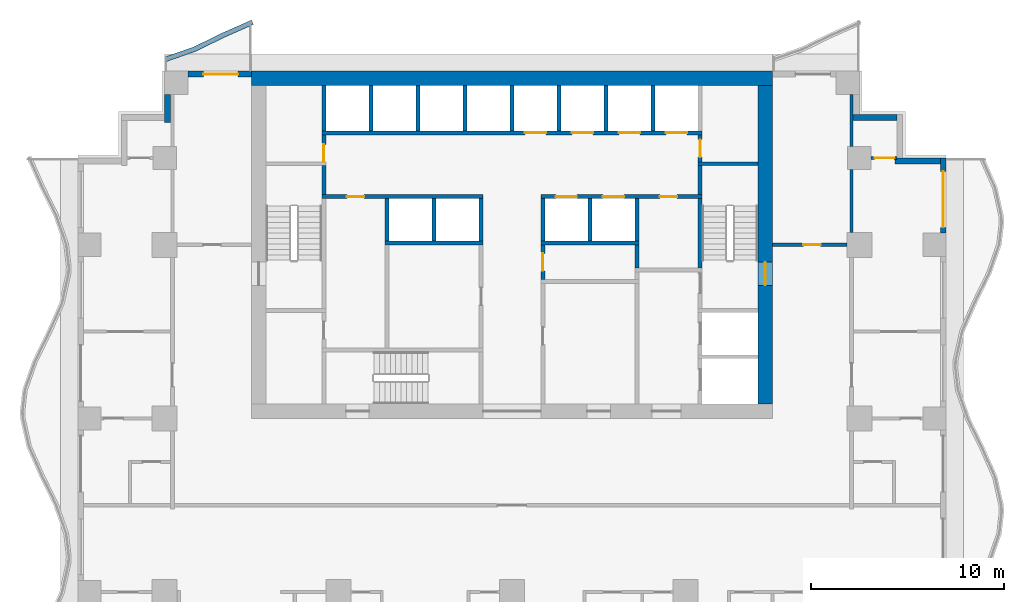
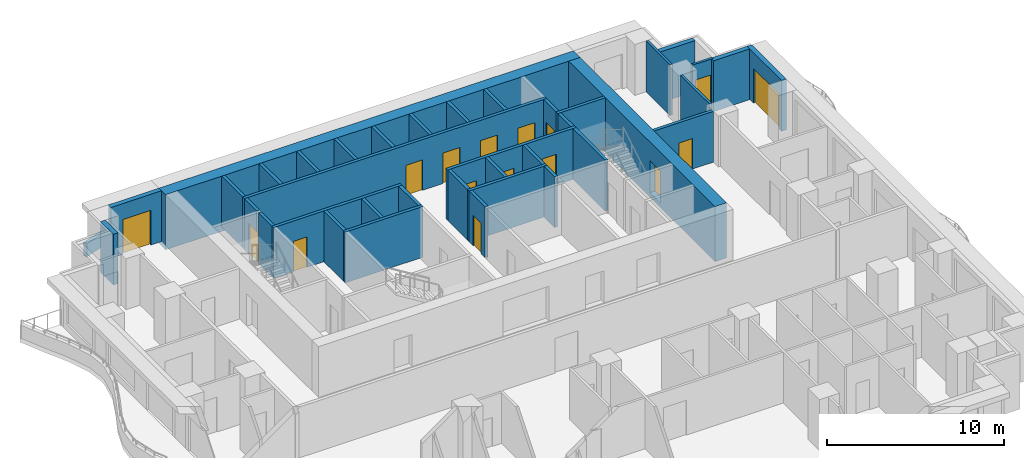
# One storey, part 5 of 10: 39 walls, 16 doors, 16 openings.
"""IFC4 building model written with IfcOpenShell, lengths in metres."""

from ifc_helpers import new_model, si_unit, direction, frame, frame_2d, origin, place, context, subcontext, project, spatial, polyline, rectangle, outline, extrude, material, layer, layer_set, type_object, element, fill, save


model = new_model("IFC4")

# Units and contexts
model_context = context("Model", 3, precision=1e-05, world=origin(), true_north=direction((0.0, 1.0)))
body_context = subcontext(model_context, "Body", "Model", "MODEL_VIEW")
ifc_project = project(units=[si_unit("LENGTHUNIT", "METRE"), si_unit("AREAUNIT", "SQUARE_METRE"), si_unit("VOLUMEUNIT", "CUBIC_METRE"), si_unit("PLANEANGLEUNIT", "RADIAN"), si_unit("MASSUNIT", "GRAM", prefix="KILO")], contexts=[model_context])

# Site, building, storey
site_placement = place(None, origin())
site = spatial("IfcSite", under=ifc_project, at=site_placement, CompositionType="ELEMENT")
building_placement = place(site_placement, origin())
building = spatial("IfcBuilding", under=site, at=building_placement, Name="Orbiselva Terraces", CompositionType="ELEMENT")
storey_placement = place(building_placement, frame((0.0, 0.0, 125.0)))
storey = spatial("IfcBuildingStorey", under=building, at=storey_placement, Name="L31", CompositionType="ELEMENT", Elevation=125.0)

# Wall, opening, door
ifc_material_1 = material(Name="Concrete C80/95", Category="concrete")
ifc_layer_1 = layer(ifc_material_1, 0.75)
ifc_layer_set_1 = layer_set([ifc_layer_1], Name="Concrete C80/95")
wall_type_1 = type_object("IfcWallType", Name="CORE WALL 750", PredefinedType="SHEAR", material=ifc_layer_set_1)
wall_1_placement = place(storey_placement, frame((13.125, 5.25, -0.3), z_axis=(0.0, 0.0, 1.0), x_axis=(0.0, 1.0, 0.0)))
wall_1 = element("IfcWall", 1, at=wall_1_placement, inside=storey, type_object=wall_type_1, Name="Core wall L31 east", PredefinedType="SHEAR", context=body_context, shape_type="SweptSolid", body=[
    extrude(rectangle(XDim=16.5, YDim=0.75, at=frame_2d((8.25, 0.0))), origin(), (0.0, 0.0, 1.0), 3.8),
])
opening_1_placement = place(wall_1_placement, frame((6.15, 0.0, 0.3)))
opening_1 = element("IfcOpeningElement", 2, at=opening_1_placement, cuts=wall_1, Name="Opening DS1200", PredefinedType="OPENING", context=body_context, shape_type="SweptSolid", body=[
    extrude(rectangle(XDim=1.2, YDim=2.2, at=frame_2d((0.6, 1.1))), frame((0.0, 0.385, 0.0), z_axis=(0.0, -1.0, 0.0), x_axis=(1.0, 0.0, 0.0)), (0.0, 0.0, 1.0), 0.77),
])
ifc_material_2 = material(Name="Steel fire door", Category="steel")
door_type_1 = type_object("IfcDoorType", Name="STAIR DOOR 1200", OperationType="NOTDEFINED", PredefinedType="DOOR", material=ifc_material_2)
door_1_placement = place(opening_1_placement, frame((1.2, 0.0, 0.0), z_axis=(0.0, 0.0, 1.0), x_axis=(-1.0, 0.0, 0.0)))
door_1 = element("IfcDoor", 3, at=door_1_placement, inside=storey, type_object=door_type_1, Name="L31 EXIT STAIR S2 door", OperationType="SINGLE_SWING_LEFT", OverallHeight=2.2, OverallWidth=1.2, PredefinedType="DOOR", context=body_context, shape_type="SweptSolid", body=[
    extrude(rectangle(XDim=1.2, YDim=2.2, at=frame_2d((0.6, 1.1))), frame((0.0, 0.025, 0.0), z_axis=(0.0, -1.0, 0.0), x_axis=(1.0, 0.0, 0.0)), (0.0, 0.0, 1.0), 0.05),
])
fill(opening_1, door_1)

# Wall
ifc_layer_2 = layer(ifc_material_1, 0.75)
ifc_layer_set_2 = layer_set([ifc_layer_2], Name="Concrete C80/95")
wall_type_2 = type_object("IfcWallType", Name="CORE WALL 750 EXTERNAL", PredefinedType="SHEAR", material=ifc_layer_set_2)
wall_2_placement = place(storey_placement, frame((13.5, 22.125, -0.3), z_axis=(0.0, 0.0, 1.0), x_axis=(-1.0, 0.0, 0.0)))
element("IfcWall", 4, at=wall_2_placement, inside=storey, type_object=wall_type_2, Name="Core wall L31 north", PredefinedType="SHEAR", context=body_context, shape_type="SweptSolid", body=[
    extrude(rectangle(XDim=27.0, YDim=0.75, at=frame_2d((13.5, 0.0))), origin(), (0.0, 0.0, 1.0), 3.8),
])

# Wall, opening, door
ifc_material_3 = material(Name="Masonry blockwork", Category="masonry")
ifc_layer_3 = layer(ifc_material_3, 0.2)
ifc_layer_set_3 = layer_set([ifc_layer_3], Name="Masonry blockwork")
wall_type_3 = type_object("IfcWallType", Name="CORE-WALL-PARTITION-200", PredefinedType="PARTITIONING", material=ifc_layer_set_3)
wall_3_placement = place(storey_placement, frame((-9.75, 17.8, 0.0), z_axis=(0.0, 0.0, 1.0), x_axis=(0.0, 1.0, 0.0)))
wall_3 = element("IfcWall", 5, at=wall_3_placement, inside=storey, type_object=wall_type_3, Name="L31 core wall 09", PredefinedType="PARTITIONING", context=body_context, shape_type="SweptSolid", body=[
    extrude(rectangle(XDim=1.4, YDim=0.2, at=frame_2d((0.7, 0.0))), origin(), (0.0, 0.0, 1.0), 3.5),
])
opening_2_placement = place(wall_3_placement, origin())
opening_2 = element("IfcOpeningElement", 6, at=opening_2_placement, cuts=wall_3, Name="Opening DR900", PredefinedType="OPENING", context=body_context, shape_type="SweptSolid", body=[
    extrude(rectangle(XDim=0.9, YDim=2.1, at=frame_2d((0.45, 1.05))), frame((0.0, 0.11, 0.0), z_axis=(0.0, -1.0, 0.0), x_axis=(1.0, 0.0, 0.0)), (0.0, 0.0, 1.0), 0.22),
])
door_type_2 = type_object("IfcDoorType", Name="ROOM DOOR 900", OperationType="NOTDEFINED", PredefinedType="DOOR", material=ifc_material_2)
door_2_placement = place(opening_2_placement, origin())
door_2 = element("IfcDoor", 7, at=door_2_placement, inside=storey, type_object=door_type_2, Name="L31 COMMS RISER ROOM door", OperationType="SINGLE_SWING_LEFT", OverallHeight=2.1, OverallWidth=0.9, PredefinedType="DOOR", context=body_context, shape_type="SweptSolid", body=[
    extrude(rectangle(XDim=0.9, YDim=2.1, at=frame_2d((0.45, 1.05))), frame((0.0, 0.025, 0.0), z_axis=(0.0, -1.0, 0.0), x_axis=(1.0, 0.0, 0.0)), (0.0, 0.0, 1.0), 0.05),
])
fill(opening_2, door_2)

wall_4_placement = place(storey_placement, frame((1.6, 13.5, 0.0), z_axis=(0.0, 0.0, 1.0), x_axis=(0.0, -1.0, 0.0)))
wall_4 = element("IfcWall", 8, at=wall_4_placement, inside=storey, type_object=wall_type_3, Name="L31 core wall 25", PredefinedType="PARTITIONING", context=body_context, shape_type="SweptSolid", body=[
    extrude(rectangle(XDim=1.8, YDim=0.2, at=frame_2d((0.9, 0.0))), origin(), (0.0, 0.0, 1.0), 3.5),
])
opening_3_placement = place(wall_4_placement, frame((0.45, 0.0, 0.0)))
opening_3 = element("IfcOpeningElement", 9, at=opening_3_placement, cuts=wall_4, Name="Opening DR900", PredefinedType="OPENING", context=body_context, shape_type="SweptSolid", body=[
    extrude(rectangle(XDim=0.9, YDim=2.1, at=frame_2d((0.45, 1.05))), frame((0.0, 0.11, 0.0), z_axis=(0.0, -1.0, 0.0), x_axis=(1.0, 0.0, 0.0)), (0.0, 0.0, 1.0), 0.22),
])
door_3_placement = place(opening_3_placement, origin())
door_3 = element("IfcDoor", 10, at=door_3_placement, inside=storey, type_object=door_type_2, Name="L31 IT ROOM door", OperationType="SINGLE_SWING_LEFT", OverallHeight=2.1, OverallWidth=0.9, PredefinedType="DOOR", context=body_context, shape_type="SweptSolid", body=[
    extrude(rectangle(XDim=0.9, YDim=2.1, at=frame_2d((0.45, 1.05))), frame((0.0, 0.025, 0.0), z_axis=(0.0, -1.0, 0.0), x_axis=(1.0, 0.0, 0.0)), (0.0, 0.0, 1.0), 0.05),
])
fill(opening_3, door_3)

# Wall
wall_5_placement = place(storey_placement, frame((6.475, 12.3, 0.0), z_axis=(0.0, 0.0, 1.0), x_axis=(0.0, 1.0, 0.0)))
element("IfcWall", 11, at=wall_5_placement, inside=storey, type_object=wall_type_3, Name="L31 core wall 35", PredefinedType="PARTITIONING", context=body_context, shape_type="SweptSolid", body=[
    extrude(rectangle(XDim=1.2, YDim=0.2, at=frame_2d((0.6, 0.0))), origin(), (0.0, 0.0, 1.0), 3.5),
])

# Wall, opening, door
wall_6_placement = place(storey_placement, frame((9.75, 19.2, 0.0), z_axis=(0.0, 0.0, 1.0), x_axis=(0.0, -1.0, 0.0)))
wall_6 = element("IfcWall", 12, at=wall_6_placement, inside=storey, type_object=wall_type_3, Name="L31 core wall 46", PredefinedType="PARTITIONING", context=body_context, shape_type="SweptSolid", body=[
    extrude(rectangle(XDim=1.4, YDim=0.2, at=frame_2d((0.7, 0.0))), origin(), (0.0, 0.0, 1.0), 3.5),
])
opening_4_placement = place(wall_6_placement, frame((0.25, 0.0, 0.0)))
opening_4 = element("IfcOpeningElement", 13, at=opening_4_placement, cuts=wall_6, Name="Opening DR900", PredefinedType="OPENING", context=body_context, shape_type="SweptSolid", body=[
    extrude(rectangle(XDim=0.9, YDim=2.1, at=frame_2d((0.45, 1.05))), frame((0.0, 0.11, 0.0), z_axis=(0.0, -1.0, 0.0), x_axis=(1.0, 0.0, 0.0)), (0.0, 0.0, 1.0), 0.22),
])
door_4_placement = place(opening_4_placement, origin())
door_4 = element("IfcDoor", 14, at=door_4_placement, inside=storey, type_object=door_type_2, Name="L31 ELECTRICAL RISER ROOM door", OperationType="SINGLE_SWING_RIGHT", OverallHeight=2.1, OverallWidth=0.9, PredefinedType="DOOR", context=body_context, shape_type="SweptSolid", body=[
    extrude(rectangle(XDim=0.9, YDim=2.1, at=frame_2d((0.45, 1.05))), frame((0.0, 0.025, 0.0), z_axis=(0.0, -1.0, 0.0), x_axis=(1.0, 0.0, 0.0)), (0.0, 0.0, 1.0), 0.05),
])
fill(opening_4, door_4)

# Walls
ifc_material_4 = material(Name="Concrete C40/50", Category="concrete")
ifc_layer_4 = layer(ifc_material_4, 0.2)
ifc_layer_set_4 = layer_set([ifc_layer_4], Name="Concrete C40/50")
wall_type_4 = type_object("IfcWallType", Name="CORE-WALL-SHAFT-200", PredefinedType="PARTITIONING", material=ifc_layer_set_4)
for number, where, z_axis, x_axis, name in (
    (15, (-9.75, 19.4, 0.0), (0.0, 0.0, 1.0), (0.0, 1.0, 0.0), "L31 core wall 11"),
    (16, (-7.3125, 19.4, 0.0), (0.0, 0.0, 1.0), (0.0, 1.0, 0.0), "L31 core wall 12"),
):
    element("IfcWall", number, at=place(storey_placement, frame(where, z_axis=z_axis, x_axis=x_axis)), inside=storey, type_object=wall_type_4, Name=name, PredefinedType="PARTITIONING", context=body_context, shape_type="SweptSolid", body=[
        extrude(rectangle(XDim=2.35, YDim=0.2, at=frame_2d((1.175, 0.0))), origin(), (0.0, 0.0, 1.0), 3.5),
    ])
wall_7_placement = place(storey_placement, frame((-6.475, 13.7, 0.0), z_axis=(0.0, 0.0, 1.0), x_axis=(0.0, 1.0, 0.0)))
element("IfcWall", 17, at=wall_7_placement, inside=storey, type_object=wall_type_4, Name="L31 core wall 15", PredefinedType="PARTITIONING", context=body_context, shape_type="SweptSolid", body=[
    extrude(rectangle(XDim=2.2, YDim=0.2, at=frame_2d((1.1, 0.0))), origin(), (0.0, 0.0, 1.0), 3.5),
])
wall_8_placement = place(storey_placement, frame((-4.875, 19.4, 0.0), z_axis=(0.0, 0.0, 1.0), x_axis=(0.0, 1.0, 0.0)))
element("IfcWall", 18, at=wall_8_placement, inside=storey, type_object=wall_type_4, Name="L31 core wall 16", PredefinedType="PARTITIONING", context=body_context, shape_type="SweptSolid", body=[
    extrude(rectangle(XDim=2.35, YDim=0.2, at=frame_2d((1.175, 0.0))), origin(), (0.0, 0.0, 1.0), 3.5),
])
wall_9_placement = place(storey_placement, frame((-4.0375, 13.7, 0.0), z_axis=(0.0, 0.0, 1.0), x_axis=(0.0, 1.0, 0.0)))
element("IfcWall", 19, at=wall_9_placement, inside=storey, type_object=wall_type_4, Name="L31 core wall 17", PredefinedType="PARTITIONING", context=body_context, shape_type="SweptSolid", body=[
    extrude(rectangle(XDim=2.2, YDim=0.2, at=frame_2d((1.1, 0.0))), origin(), (0.0, 0.0, 1.0), 3.5),
])
wall_10_placement = place(storey_placement, frame((-2.4375, 19.4, 0.0), z_axis=(0.0, 0.0, 1.0), x_axis=(0.0, 1.0, 0.0)))
element("IfcWall", 20, at=wall_10_placement, inside=storey, type_object=wall_type_4, Name="L31 core wall 18", PredefinedType="PARTITIONING", context=body_context, shape_type="SweptSolid", body=[
    extrude(rectangle(XDim=2.35, YDim=0.2, at=frame_2d((1.175, 0.0))), origin(), (0.0, 0.0, 1.0), 3.5),
])
wall_11_placement = place(storey_placement, frame((-1.6, 13.7, 0.0), z_axis=(0.0, 0.0, 1.0), x_axis=(0.0, 1.0, 0.0)))
element("IfcWall", 21, at=wall_11_placement, inside=storey, type_object=wall_type_4, Name="L31 core wall 21", PredefinedType="PARTITIONING", context=body_context, shape_type="SweptSolid", body=[
    extrude(rectangle(XDim=2.2, YDim=0.2, at=frame_2d((1.1, 0.0))), origin(), (0.0, 0.0, 1.0), 3.5),
])
wall_12_placement = place(storey_placement, frame((0.0, 19.4, 0.0), z_axis=(0.0, 0.0, 1.0), x_axis=(0.0, 1.0, 0.0)))
element("IfcWall", 22, at=wall_12_placement, inside=storey, type_object=wall_type_4, Name="L31 core wall 22", PredefinedType="PARTITIONING", context=body_context, shape_type="SweptSolid", body=[
    extrude(rectangle(XDim=2.35, YDim=0.2, at=frame_2d((1.175, 0.0))), origin(), (0.0, 0.0, 1.0), 3.5),
])
wall_13_placement = place(storey_placement, frame((1.6, 13.7, 0.0), z_axis=(0.0, 0.0, 1.0), x_axis=(0.0, 1.0, 0.0)))
element("IfcWall", 23, at=wall_13_placement, inside=storey, type_object=wall_type_4, Name="L31 core wall 27", PredefinedType="PARTITIONING", context=body_context, shape_type="SweptSolid", body=[
    extrude(rectangle(XDim=2.2, YDim=0.2, at=frame_2d((1.1, 0.0))), origin(), (0.0, 0.0, 1.0), 3.5),
])
wall_14_placement = place(storey_placement, frame((2.4375, 19.4, 0.0), z_axis=(0.0, 0.0, 1.0), x_axis=(0.0, 1.0, 0.0)))
element("IfcWall", 24, at=wall_14_placement, inside=storey, type_object=wall_type_4, Name="L31 core wall 29", PredefinedType="PARTITIONING", context=body_context, shape_type="SweptSolid", body=[
    extrude(rectangle(XDim=2.35, YDim=0.2, at=frame_2d((1.175, 0.0))), origin(), (0.0, 0.0, 1.0), 3.5),
])
wall_15_placement = place(storey_placement, frame((4.0375, 13.7, 0.0), z_axis=(0.0, 0.0, 1.0), x_axis=(0.0, 1.0, 0.0)))
element("IfcWall", 25, at=wall_15_placement, inside=storey, type_object=wall_type_4, Name="L31 core wall 30", PredefinedType="PARTITIONING", context=body_context, shape_type="SweptSolid", body=[
    extrude(rectangle(XDim=2.2, YDim=0.2, at=frame_2d((1.1, 0.0))), origin(), (0.0, 0.0, 1.0), 3.5),
])
wall_16_placement = place(storey_placement, frame((4.875, 19.4, 0.0), z_axis=(0.0, 0.0, 1.0), x_axis=(0.0, 1.0, 0.0)))
element("IfcWall", 26, at=wall_16_placement, inside=storey, type_object=wall_type_4, Name="L31 core wall 31", PredefinedType="PARTITIONING", context=body_context, shape_type="SweptSolid", body=[
    extrude(rectangle(XDim=2.35, YDim=0.2, at=frame_2d((1.175, 0.0))), origin(), (0.0, 0.0, 1.0), 3.5),
])
wall_17_placement = place(storey_placement, frame((6.475, 13.7, 0.0), z_axis=(0.0, 0.0, 1.0), x_axis=(0.0, 1.0, 0.0)))
element("IfcWall", 27, at=wall_17_placement, inside=storey, type_object=wall_type_4, Name="L31 core wall 36", PredefinedType="PARTITIONING", context=body_context, shape_type="SweptSolid", body=[
    extrude(rectangle(XDim=2.2, YDim=0.2, at=frame_2d((1.1, 0.0))), origin(), (0.0, 0.0, 1.0), 3.5),
])
wall_18_placement = place(storey_placement, frame((7.3125, 19.4, 0.0), z_axis=(0.0, 0.0, 1.0), x_axis=(0.0, 1.0, 0.0)))
element("IfcWall", 28, at=wall_18_placement, inside=storey, type_object=wall_type_4, Name="L31 core wall 37", PredefinedType="PARTITIONING", context=body_context, shape_type="SweptSolid", body=[
    extrude(rectangle(XDim=2.35, YDim=0.2, at=frame_2d((1.175, 0.0))), origin(), (0.0, 0.0, 1.0), 3.5),
])

# Wall, opening, door
ifc_material_5 = material(Name="Concrete C60/75", Category="concrete")
ifc_layer_5 = layer(ifc_material_5, 0.2)
ifc_layer_set_5 = layer_set([ifc_layer_5], Name="Concrete C60/75")
wall_type_5 = type_object("IfcWallType", Name="CORE-WALL-SHEAR-200", PredefinedType="SHEAR", material=ifc_layer_set_5)
wall_19_placement = place(storey_placement, frame((-1.5, 16.0, 0.0), z_axis=(0.0, 0.0, 1.0), x_axis=(-1.0, 0.0, 0.0)))
wall_19 = element("IfcWall", 29, at=wall_19_placement, inside=storey, type_object=wall_type_5, Name="L31 core wall 07", PredefinedType="SHEAR", context=body_context, shape_type="SweptSolid", body=[
    extrude(rectangle(XDim=8.35, YDim=0.2, at=frame_2d((4.175, 0.0))), origin(), (0.0, 0.0, 1.0), 3.5),
])
opening_5_placement = place(wall_19_placement, frame((6.1625, 0.0, 0.0)))
opening_5 = element("IfcOpeningElement", 30, at=opening_5_placement, cuts=wall_19, Name="Opening DR900", PredefinedType="OPENING", context=body_context, shape_type="SweptSolid", body=[
    extrude(rectangle(XDim=0.9, YDim=2.1, at=frame_2d((0.45, 1.05))), frame((0.0, 0.11, 0.0), z_axis=(0.0, -1.0, 0.0), x_axis=(1.0, 0.0, 0.0)), (0.0, 0.0, 1.0), 0.22),
])
door_5_placement = place(opening_5_placement, origin())
door_5 = element("IfcDoor", 31, at=door_5_placement, inside=storey, type_object=door_type_2, Name="L31 STAFF PANTRY door", OperationType="SINGLE_SWING_RIGHT", OverallHeight=2.1, OverallWidth=0.9, PredefinedType="DOOR", context=body_context, shape_type="SweptSolid", body=[
    extrude(rectangle(XDim=0.9, YDim=2.1, at=frame_2d((0.45, 1.05))), frame((0.0, 0.025, 0.0), z_axis=(0.0, -1.0, 0.0), x_axis=(1.0, 0.0, 0.0)), (0.0, 0.0, 1.0), 0.05),
])
fill(opening_5, door_5)

# Wall
wall_20_placement = place(storey_placement, frame((-9.75, 16.1, 0.0), z_axis=(0.0, 0.0, 1.0), x_axis=(0.0, 1.0, 0.0)))
element("IfcWall", 32, at=wall_20_placement, inside=storey, type_object=wall_type_5, Name="L31 core wall 08", PredefinedType="SHEAR", context=body_context, shape_type="SweptSolid", body=[
    extrude(rectangle(XDim=1.5, YDim=0.2, at=frame_2d((0.75, 0.0))), origin(), (0.0, 0.0, 1.0), 3.5),
])

# Wall, openings, doors
wall_21_placement = place(storey_placement, frame((-9.85, 19.3, 0.0), z_axis=(0.0, 0.0, 1.0), x_axis=(1.0, 0.0, 0.0)))
wall_21 = element("IfcWall", 33, at=wall_21_placement, inside=storey, type_object=wall_type_5, Name="L31 core wall 10", PredefinedType="SHEAR", context=body_context, shape_type="SweptSolid", body=[
    extrude(rectangle(XDim=19.7, YDim=0.2, at=frame_2d((9.85, 0.0))), origin(), (0.0, 0.0, 1.0), 3.5),
])
opening_6_placement = place(wall_21_placement, frame((10.51875, 0.0, 0.0)))
opening_6 = element("IfcOpeningElement", 34, at=opening_6_placement, cuts=wall_21, Name="Opening LD-HR1", PredefinedType="OPENING", context=body_context, shape_type="SweptSolid", body=[
    extrude(rectangle(XDim=1.1, YDim=2.1, at=frame_2d((0.55, 1.05))), frame((0.0, 0.11, 0.0), z_axis=(0.0, -1.0, 0.0), x_axis=(1.0, 0.0, 0.0)), (0.0, 0.0, 1.0), 0.22),
])
opening_7_placement = place(wall_21_placement, frame((12.95625, 0.0, 0.0)))
opening_7 = element("IfcOpeningElement", 35, at=opening_7_placement, cuts=wall_21, Name="Opening LD-HR2", PredefinedType="OPENING", context=body_context, shape_type="SweptSolid", body=[
    extrude(rectangle(XDim=1.1, YDim=2.1, at=frame_2d((0.55, 1.05))), frame((0.0, 0.11, 0.0), z_axis=(0.0, -1.0, 0.0), x_axis=(1.0, 0.0, 0.0)), (0.0, 0.0, 1.0), 0.22),
])
opening_8_placement = place(wall_21_placement, frame((15.39375, 0.0, 0.0)))
opening_8 = element("IfcOpeningElement", 36, at=opening_8_placement, cuts=wall_21, Name="Opening LD-HR3", PredefinedType="OPENING", context=body_context, shape_type="SweptSolid", body=[
    extrude(rectangle(XDim=1.1, YDim=2.1, at=frame_2d((0.55, 1.05))), frame((0.0, 0.11, 0.0), z_axis=(0.0, -1.0, 0.0), x_axis=(1.0, 0.0, 0.0)), (0.0, 0.0, 1.0), 0.22),
])
opening_9_placement = place(wall_21_placement, frame((17.83125, 0.0, 0.0)))
opening_9 = element("IfcOpeningElement", 37, at=opening_9_placement, cuts=wall_21, Name="Opening LD-HR4", PredefinedType="OPENING", context=body_context, shape_type="SweptSolid", body=[
    extrude(rectangle(XDim=1.1, YDim=2.1, at=frame_2d((0.55, 1.05))), frame((0.0, 0.11, 0.0), z_axis=(0.0, -1.0, 0.0), x_axis=(1.0, 0.0, 0.0)), (0.0, 0.0, 1.0), 0.22),
])
ifc_material_6 = material(Name="Stainless steel landing door", Category="steel")
door_type_3 = type_object("IfcDoorType", Name="LANDING DOOR 1100", OperationType="SLIDING_TO_LEFT", PredefinedType="DOOR", material=ifc_material_6)
door_6_placement = place(opening_6_placement, origin())
door_6 = element("IfcDoor", 38, at=door_6_placement, inside=storey, type_object=door_type_3, Name="L31 landing door HR1", OperationType="SLIDING_TO_RIGHT", OverallHeight=2.1, OverallWidth=1.1, PredefinedType="DOOR", context=body_context, shape_type="SweptSolid", body=[
    extrude(rectangle(XDim=1.1, YDim=2.1, at=frame_2d((0.55, 1.05))), frame((0.0, 0.025, 0.0), z_axis=(0.0, -1.0, 0.0), x_axis=(1.0, 0.0, 0.0)), (0.0, 0.0, 1.0), 0.05),
])
fill(opening_6, door_6)
door_7_placement = place(opening_7_placement, origin())
door_7 = element("IfcDoor", 39, at=door_7_placement, inside=storey, type_object=door_type_3, Name="L31 landing door HR2", OperationType="SLIDING_TO_RIGHT", OverallHeight=2.1, OverallWidth=1.1, PredefinedType="DOOR", context=body_context, shape_type="SweptSolid", body=[
    extrude(rectangle(XDim=1.1, YDim=2.1, at=frame_2d((0.55, 1.05))), frame((0.0, 0.025, 0.0), z_axis=(0.0, -1.0, 0.0), x_axis=(1.0, 0.0, 0.0)), (0.0, 0.0, 1.0), 0.05),
])
fill(opening_7, door_7)
door_8_placement = place(opening_8_placement, origin())
door_8 = element("IfcDoor", 40, at=door_8_placement, inside=storey, type_object=door_type_3, Name="L31 landing door HR3", OperationType="SLIDING_TO_RIGHT", OverallHeight=2.1, OverallWidth=1.1, PredefinedType="DOOR", context=body_context, shape_type="SweptSolid", body=[
    extrude(rectangle(XDim=1.1, YDim=2.1, at=frame_2d((0.55, 1.05))), frame((0.0, 0.025, 0.0), z_axis=(0.0, -1.0, 0.0), x_axis=(1.0, 0.0, 0.0)), (0.0, 0.0, 1.0), 0.05),
])
fill(opening_8, door_8)
door_9_placement = place(opening_9_placement, origin())
door_9 = element("IfcDoor", 41, at=door_9_placement, inside=storey, type_object=door_type_3, Name="L31 landing door HR4", OperationType="SLIDING_TO_RIGHT", OverallHeight=2.1, OverallWidth=1.1, PredefinedType="DOOR", context=body_context, shape_type="SweptSolid", body=[
    extrude(rectangle(XDim=1.1, YDim=2.1, at=frame_2d((0.55, 1.05))), frame((0.0, 0.025, 0.0), z_axis=(0.0, -1.0, 0.0), x_axis=(1.0, 0.0, 0.0)), (0.0, 0.0, 1.0), 0.05),
])
fill(opening_9, door_9)

# Walls
for number, where, z_axis, x_axis, name in (
    (42, (-6.575, 13.6, 0.0), (0.0, 0.0, 1.0), (1.0, 0.0, 0.0), "L31 core wall 14"),
    (43, (1.5, 13.6, 0.0), (0.0, 0.0, 1.0), (1.0, 0.0, 0.0), "L31 core wall 26"),
):
    element("IfcWall", number, at=place(storey_placement, frame(where, z_axis=z_axis, x_axis=x_axis)), inside=storey, type_object=wall_type_5, Name=name, PredefinedType="SHEAR", context=body_context, shape_type="SweptSolid", body=[
        extrude(rectangle(XDim=5.075, YDim=0.2, at=frame_2d((2.5375, 0.0))), origin(), (0.0, 0.0, 1.0), 3.5),
    ])

# Wall, openings, doors
wall_22_placement = place(storey_placement, frame((9.85, 16.0, 0.0), z_axis=(0.0, 0.0, 1.0), x_axis=(-1.0, 0.0, 0.0)))
wall_22 = element("IfcWall", 44, at=wall_22_placement, inside=storey, type_object=wall_type_5, Name="L31 core wall 28", PredefinedType="SHEAR", context=body_context, shape_type="SweptSolid", body=[
    extrude(rectangle(XDim=8.35, YDim=0.2, at=frame_2d((4.175, 0.0))), origin(), (0.0, 0.0, 1.0), 3.5),
])
opening_10_placement = place(wall_22_placement, frame((6.48125, 0.0, 0.0)))
opening_10 = element("IfcOpeningElement", 45, at=opening_10_placement, cuts=wall_22, Name="Opening LD-HR5", PredefinedType="OPENING", context=body_context, shape_type="SweptSolid", body=[
    extrude(rectangle(XDim=1.1, YDim=2.1, at=frame_2d((0.55, 1.05))), frame((0.0, 0.11, 0.0), z_axis=(0.0, -1.0, 0.0), x_axis=(1.0, 0.0, 0.0)), (0.0, 0.0, 1.0), 0.22),
])
opening_11_placement = place(wall_22_placement, frame((4.04375, 0.0, 0.0)))
opening_11 = element("IfcOpeningElement", 46, at=opening_11_placement, cuts=wall_22, Name="Opening LD-HR6", PredefinedType="OPENING", context=body_context, shape_type="SweptSolid", body=[
    extrude(rectangle(XDim=1.1, YDim=2.1, at=frame_2d((0.55, 1.05))), frame((0.0, 0.11, 0.0), z_axis=(0.0, -1.0, 0.0), x_axis=(1.0, 0.0, 0.0)), (0.0, 0.0, 1.0), 0.22),
])
opening_12_placement = place(wall_22_placement, frame((1.2875, 0.0, 0.0)))
opening_12 = element("IfcOpeningElement", 47, at=opening_12_placement, cuts=wall_22, Name="Opening DR900", PredefinedType="OPENING", context=body_context, shape_type="SweptSolid", body=[
    extrude(rectangle(XDim=0.9, YDim=2.1, at=frame_2d((0.45, 1.05))), frame((0.0, 0.11, 0.0), z_axis=(0.0, -1.0, 0.0), x_axis=(1.0, 0.0, 0.0)), (0.0, 0.0, 1.0), 0.22),
])
door_10_placement = place(opening_10_placement, origin())
door_10 = element("IfcDoor", 48, at=door_10_placement, inside=storey, type_object=door_type_3, Name="L31 landing door HR5", OperationType="SLIDING_TO_RIGHT", OverallHeight=2.1, OverallWidth=1.1, PredefinedType="DOOR", context=body_context, shape_type="SweptSolid", body=[
    extrude(rectangle(XDim=1.1, YDim=2.1, at=frame_2d((0.55, 1.05))), frame((0.0, 0.025, 0.0), z_axis=(0.0, -1.0, 0.0), x_axis=(1.0, 0.0, 0.0)), (0.0, 0.0, 1.0), 0.05),
])
fill(opening_10, door_10)
door_11_placement = place(opening_11_placement, origin())
door_11 = element("IfcDoor", 49, at=door_11_placement, inside=storey, type_object=door_type_3, Name="L31 landing door HR6", OperationType="SLIDING_TO_RIGHT", OverallHeight=2.1, OverallWidth=1.1, PredefinedType="DOOR", context=body_context, shape_type="SweptSolid", body=[
    extrude(rectangle(XDim=1.1, YDim=2.1, at=frame_2d((0.55, 1.05))), frame((0.0, 0.025, 0.0), z_axis=(0.0, -1.0, 0.0), x_axis=(1.0, 0.0, 0.0)), (0.0, 0.0, 1.0), 0.05),
])
fill(opening_11, door_11)
door_12_placement = place(opening_12_placement, origin())
door_12 = element("IfcDoor", 50, at=door_12_placement, inside=storey, type_object=door_type_2, Name="L31 PIPE RISER ROOM door", OperationType="SINGLE_SWING_LEFT", OverallHeight=2.1, OverallWidth=0.9, PredefinedType="DOOR", context=body_context, shape_type="SweptSolid", body=[
    extrude(rectangle(XDim=0.9, YDim=2.1, at=frame_2d((0.45, 1.05))), frame((0.0, 0.025, 0.0), z_axis=(0.0, -1.0, 0.0), x_axis=(1.0, 0.0, 0.0)), (0.0, 0.0, 1.0), 0.05),
])
fill(opening_12, door_12)

# Walls
wall_23_placement = place(storey_placement, frame((9.75, 12.3, 0.0), z_axis=(0.0, 0.0, 1.0), x_axis=(0.0, 1.0, 0.0)))
element("IfcWall", 51, at=wall_23_placement, inside=storey, type_object=wall_type_5, Name="L31 core wall 43", PredefinedType="SHEAR", context=body_context, shape_type="SweptSolid", body=[
    extrude(rectangle(XDim=3.6, YDim=0.2, at=frame_2d((1.8, 0.0))), origin(), (0.0, 0.0, 1.0), 3.5),
])
wall_24_placement = place(storey_placement, frame((9.75, 16.1, 0.0), z_axis=(0.0, 0.0, 1.0), x_axis=(0.0, 1.0, 0.0)))
element("IfcWall", 52, at=wall_24_placement, inside=storey, type_object=wall_type_5, Name="L31 core wall 44", PredefinedType="SHEAR", context=body_context, shape_type="SweptSolid", body=[
    extrude(rectangle(XDim=1.5, YDim=0.2, at=frame_2d((0.75, 0.0))), origin(), (0.0, 0.0, 1.0), 3.5),
])
wall_25_placement = place(storey_placement, frame((9.65, 17.7, 0.0), z_axis=(0.0, 0.0, 1.0), x_axis=(1.0, 0.0, 0.0)))
element("IfcWall", 53, at=wall_25_placement, inside=storey, type_object=wall_type_5, Name="L31 core wall 45", PredefinedType="SHEAR", context=body_context, shape_type="SweptSolid", body=[
    extrude(rectangle(XDim=3.1, YDim=0.2, at=frame_2d((1.55, 0.0))), origin(), (0.0, 0.0, 1.0), 3.5),
])
ifc_layer_6 = layer(ifc_material_4, 0.25)
ifc_layer_set_6 = layer_set([ifc_layer_6], Name="Concrete C40/50")
wall_type_6 = type_object("IfcWallType", Name="ENV-PLANTER-250x900", PredefinedType="USERDEFINED", material=ifc_layer_set_6)
wall_26_placement = place(storey_placement, origin())
element("IfcWall", 54, at=wall_26_placement, inside=storey, type_object=wall_type_6, Name="Balcony planter L31 NW", ObjectType="PLANTER", PredefinedType="USERDEFINED", context=body_context, shape_type="SweptSolid", body=[
    extrude(outline(polyline([(-13.5, 25.148528), (-15.0, 24.487721), (-16.5, 23.755211), (-18.0, 23.230792), (-17.917494, 22.994799), (-16.40356, 23.524089), (-14.894714, 24.260919), (-13.399212, 24.919745), (-13.5, 25.148528)])), origin(), (0.0, 0.0, 1.0), 0.9),
])

# Wall, opening, door
ifc_material_7 = material(Name="Terracotta cladding on masonry backing", Category="masonry")
ifc_layer_7 = layer(ifc_material_7, 0.3)
ifc_layer_set_7 = layer_set([ifc_layer_7], Name="Terracotta cladding on masonry backing")
wall_type_7 = type_object("IfcWallType", Name="ENV-WALL-TERRACOTTA-300", PredefinedType="SOLIDWALL", material=ifc_layer_set_7)
wall_27_placement = place(storey_placement, frame((22.35, 18.0, 0.0), z_axis=(0.0, 0.0, 1.0), x_axis=(0.0, -1.0, 0.0)))
wall_27 = element("IfcWall", 55, at=wall_27_placement, inside=storey, type_object=wall_type_7, Name="Facade wall L31 E", PredefinedType="SOLIDWALL", context=body_context, shape_type="SweptSolid", body=[
    extrude(rectangle(XDim=3.9, YDim=0.3, at=frame_2d((1.95, 0.0))), origin(), (0.0, 0.0, 1.0), 3.5),
])
opening_13_placement = place(wall_27_placement, frame((0.7, 0.0, 0.0)))
opening_13 = element("IfcOpeningElement", 56, at=opening_13_placement, cuts=wall_27, Name="Opening Z3-A-E06", PredefinedType="OPENING", context=body_context, shape_type="SweptSolid", body=[
    extrude(rectangle(XDim=2.9, YDim=2.4, at=frame_2d((1.45, 1.2))), frame((0.0, 0.16, 0.0), z_axis=(0.0, -1.0, 0.0), x_axis=(1.0, 0.0, 0.0)), (0.0, 0.0, 1.0), 0.32),
])
ifc_material_8 = material(Name="Clear low-e glazing in aluminium frame", Category="aluminium")
door_type_4 = type_object("IfcDoorType", Name="BALCONY DOOR 2900 X 2400", OperationType="DOUBLE_DOOR_SLIDING", PredefinedType="DOOR", material=ifc_material_8)
door_13_placement = place(opening_13_placement, origin())
door_13 = element("IfcDoor", 57, at=door_13_placement, inside=storey, type_object=door_type_4, Name="Z3-A-E06", OperationType="SINGLE_SWING_LEFT", OverallHeight=2.4, OverallWidth=2.9, PredefinedType="DOOR", context=body_context, shape_type="SweptSolid", body=[
    extrude(rectangle(XDim=2.9, YDim=2.4, at=frame_2d((1.45, 1.2))), frame((0.0, 0.025, 0.0), z_axis=(0.0, -1.0, 0.0), x_axis=(1.0, 0.0, 0.0)), (0.0, 0.0, 1.0), 0.05),
])
fill(opening_13, door_13)

# Walls
for number, where, z_axis, x_axis, name in (
    (58, (19.85, 17.85, 0.0), (0.0, 0.0, 1.0), (1.0, 0.0, 0.0), "Facade wall L31 STEP"),
    (59, (17.6, 20.1, 0.0), (0.0, 0.0, 1.0), (1.0, 0.0, 0.0), "Facade wall L31 STEP"),
):
    element("IfcWall", number, at=place(storey_placement, frame(where, z_axis=z_axis, x_axis=x_axis)), inside=storey, type_object=wall_type_7, Name=name, PredefinedType="SOLIDWALL", context=body_context, shape_type="SweptSolid", body=[
        extrude(rectangle(XDim=2.35, YDim=0.3, at=frame_2d((1.175, 0.0))), origin(), (0.0, 0.0, 1.0), 3.5),
    ])

# Wall, opening, door
wall_28_placement = place(storey_placement, frame((-16.8, 22.35, 0.0), z_axis=(0.0, 0.0, 1.0), x_axis=(1.0, 0.0, 0.0)))
wall_28 = element("IfcWall", 60, at=wall_28_placement, inside=storey, type_object=wall_type_7, Name="Facade wall L31 NW", PredefinedType="SOLIDWALL", context=body_context, shape_type="SweptSolid", body=[
    extrude(rectangle(XDim=3.3, YDim=0.3, at=frame_2d((1.65, 0.0))), origin(), (0.0, 0.0, 1.0), 3.5),
])
opening_14_placement = place(wall_28_placement, frame((0.8, 0.0, 0.0)))
opening_14 = element("IfcOpeningElement", 61, at=opening_14_placement, cuts=wall_28, Name="Opening Z3-A-E08", PredefinedType="OPENING", context=body_context, shape_type="SweptSolid", body=[
    extrude(rectangle(XDim=1.8, YDim=2.4, at=frame_2d((0.9, 1.2))), frame((0.0, 0.16, 0.0), z_axis=(0.0, -1.0, 0.0), x_axis=(1.0, 0.0, 0.0)), (0.0, 0.0, 1.0), 0.32),
])
door_type_5 = type_object("IfcDoorType", Name="BALCONY DOOR 1800 X 2400", OperationType="DOUBLE_DOOR_SLIDING", PredefinedType="DOOR", material=ifc_material_8)
door_14_placement = place(opening_14_placement, origin())
door_14 = element("IfcDoor", 62, at=door_14_placement, inside=storey, type_object=door_type_5, Name="Z3-A-E08", OperationType="SINGLE_SWING_LEFT", OverallHeight=2.4, OverallWidth=1.8, PredefinedType="DOOR", context=body_context, shape_type="SweptSolid", body=[
    extrude(rectangle(XDim=1.8, YDim=2.4, at=frame_2d((0.9, 1.2))), frame((0.0, 0.025, 0.0), z_axis=(0.0, -1.0, 0.0), x_axis=(1.0, 0.0, 0.0)), (0.0, 0.0, 1.0), 0.05),
])
fill(opening_14, door_14)

# Wall
wall_29_placement = place(storey_placement, frame((-17.85, 19.85, 0.0), z_axis=(0.0, 0.0, 1.0), x_axis=(0.0, 1.0, 0.0)))
element("IfcWall", 63, at=wall_29_placement, inside=storey, type_object=wall_type_7, Name="Facade wall L31 STEP", PredefinedType="SOLIDWALL", context=body_context, shape_type="SweptSolid", body=[
    extrude(rectangle(XDim=1.45, YDim=0.3, at=frame_2d((0.725, 0.0))), origin(), (0.0, 0.0, 1.0), 3.5),
])

# Wall, opening, door
ifc_material_9 = material(Name="Plasterboard on steel stud partition", Category="steel")
ifc_layer_8 = layer(ifc_material_9, 0.2)
ifc_layer_set_8 = layer_set([ifc_layer_8], Name="Plasterboard on steel stud partition")
wall_type_8 = type_object("IfcWallType", Name="UNIT-ENTRANCE-WALL-200", PredefinedType="PARTITIONING", material=ifc_layer_set_8)
wall_30_placement = place(storey_placement, frame((13.5, 13.5, 0.0), z_axis=(0.0, 0.0, 1.0), x_axis=(1.0, 0.0, 0.0)))
wall_30 = element("IfcWall", 64, at=wall_30_placement, inside=storey, type_object=wall_type_8, Name="PARTITION L31-032", PredefinedType="PARTITIONING", context=body_context, shape_type="SweptSolid", body=[
    extrude(rectangle(XDim=3.85, YDim=0.2, at=frame_2d((1.925, 0.0))), origin(), (0.0, 0.0, 1.0), 3.5),
])
opening_15_placement = place(wall_30_placement, frame((1.6, 0.0, 0.0)))
opening_15 = element("IfcOpeningElement", 65, at=opening_15_placement, cuts=wall_30, Name="Opening Z3-A-02", PredefinedType="OPENING", context=body_context, shape_type="SweptSolid", body=[
    extrude(rectangle(XDim=0.9, YDim=2.1, at=frame_2d((0.45, 1.05))), frame((0.0, 0.11, 0.0), z_axis=(0.0, -1.0, 0.0), x_axis=(1.0, 0.0, 0.0)), (0.0, 0.0, 1.0), 0.22),
])
ifc_material_10 = material(Name="Painted timber door leaf", Category="wood")
door_type_6 = type_object("IfcDoorType", Name="SERVICE DOOR 900", OperationType="NOTDEFINED", PredefinedType="DOOR", material=ifc_material_10)
door_15_placement = place(opening_15_placement, origin())
door_15 = element("IfcDoor", 66, at=door_15_placement, inside=storey, type_object=door_type_6, Name="Z3-A-02", OperationType="SINGLE_SWING_RIGHT", OverallHeight=2.1, OverallWidth=0.9, PredefinedType="DOOR", context=body_context, shape_type="SweptSolid", body=[
    extrude(rectangle(XDim=0.9, YDim=2.1, at=frame_2d((0.45, 1.05))), frame((0.0, 0.025, 0.0), z_axis=(0.0, -1.0, 0.0), x_axis=(1.0, 0.0, 0.0)), (0.0, 0.0, 1.0), 0.05),
])
fill(opening_15, door_15)

ifc_layer_9 = layer(ifc_material_9, 0.15)
ifc_layer_set_9 = layer_set([ifc_layer_9], Name="Plasterboard on steel stud partition")
wall_type_9 = type_object("IfcWallType", Name="UNIT-PARTITION-150", PredefinedType="PARTITIONING", material=ifc_layer_set_9)
wall_31_placement = place(storey_placement, frame((18.6, 18.0, 0.0), z_axis=(0.0, 0.0, 1.0), x_axis=(1.0, 0.0, 0.0)))
wall_31 = element("IfcWall", 67, at=wall_31_placement, inside=storey, type_object=wall_type_9, Name="PARTITION L31-034", PredefinedType="PARTITIONING", context=body_context, shape_type="SweptSolid", body=[
    extrude(rectangle(XDim=1.35, YDim=0.15, at=frame_2d((0.675, 0.0))), origin(), (0.0, 0.0, 1.0), 3.5),
])
opening_16_placement = place(wall_31_placement, frame((0.2, 0.0, 0.0)))
opening_16 = element("IfcOpeningElement", 68, at=opening_16_placement, cuts=wall_31, Name="Opening Z3-A-12", PredefinedType="OPENING", context=body_context, shape_type="SweptSolid", body=[
    extrude(rectangle(XDim=1.0, YDim=2.4, at=frame_2d((0.5, 1.2))), frame((0.0, 0.085, 0.0), z_axis=(0.0, -1.0, 0.0), x_axis=(1.0, 0.0, 0.0)), (0.0, 0.0, 1.0), 0.17),
])
door_type_7 = type_object("IfcDoorType", Name="ROOM DOOR 1000", OperationType="NOTDEFINED", PredefinedType="DOOR", material=ifc_material_10)
door_16_placement = place(opening_16_placement, origin())
door_16 = element("IfcDoor", 69, at=door_16_placement, inside=storey, type_object=door_type_7, Name="Z3-A-12", OperationType="SINGLE_SWING_RIGHT", OverallHeight=2.4, OverallWidth=1.0, PredefinedType="DOOR", context=body_context, shape_type="SweptSolid", body=[
    extrude(rectangle(XDim=1.0, YDim=2.4, at=frame_2d((0.5, 1.2))), frame((0.0, 0.025, 0.0), z_axis=(0.0, -1.0, 0.0), x_axis=(1.0, 0.0, 0.0)), (0.0, 0.0, 1.0), 0.05),
])
fill(opening_16, door_16)

# Walls
wall_32_placement = place(storey_placement, frame((17.6, 14.15, 0.0), z_axis=(0.0, 0.0, 1.0), x_axis=(0.0, 1.0, 0.0)))
element("IfcWall", 70, at=wall_32_placement, inside=storey, type_object=wall_type_9, Name="PARTITION L31-060", PredefinedType="PARTITIONING", context=body_context, shape_type="SweptSolid", body=[
    extrude(rectangle(XDim=3.25, YDim=0.15, at=frame_2d((1.625, 0.0))), origin(), (0.0, 0.0, 1.0), 3.5),
])
wall_33_placement = place(storey_placement, frame((17.6, 18.6, 0.0), z_axis=(0.0, 0.0, 1.0), x_axis=(0.0, 1.0, 0.0)))
element("IfcWall", 71, at=wall_33_placement, inside=storey, type_object=wall_type_9, Name="PARTITION L31-061", PredefinedType="PARTITIONING", context=body_context, shape_type="SweptSolid", body=[
    extrude(rectangle(XDim=2.7, YDim=0.15, at=frame_2d((1.35, 0.0))), origin(), (0.0, 0.0, 1.0), 3.5),
])

save(model, "model.ifc")
